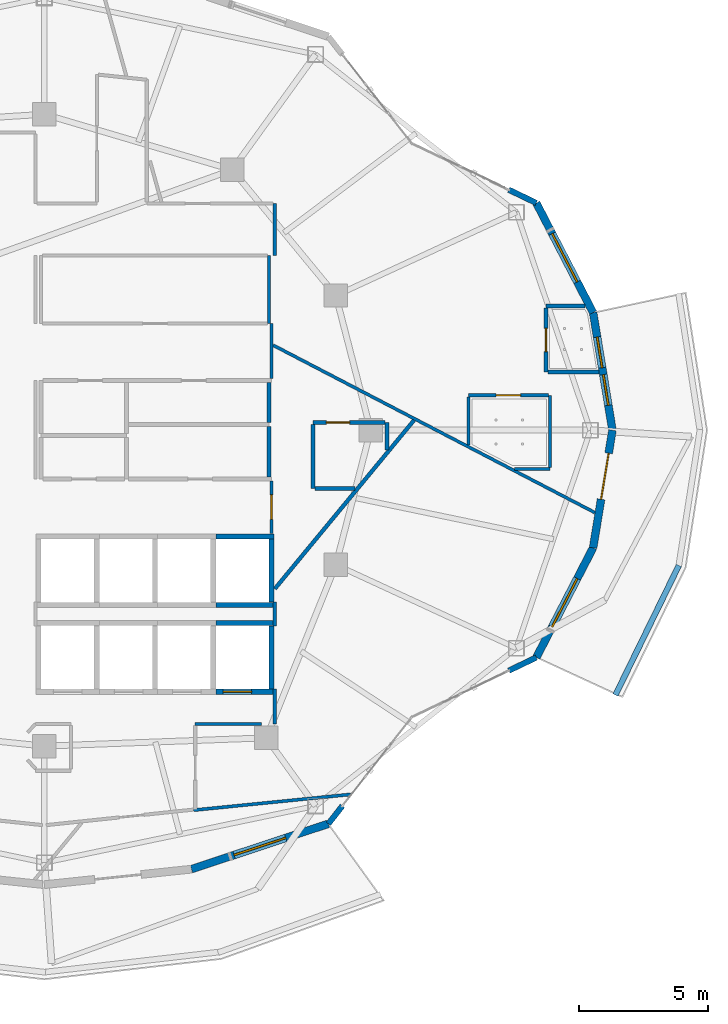
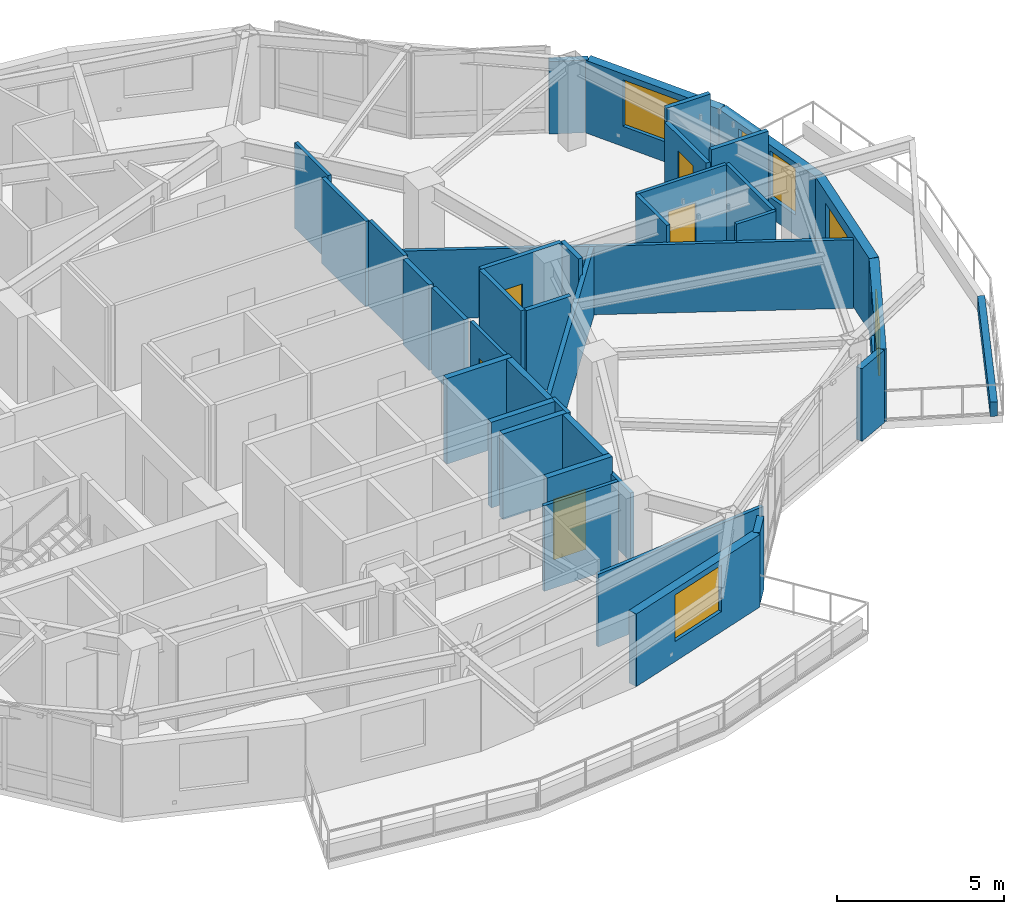
# One storey, part 11 of 19: 38 walls, 6 doors, 5 windows, 11 openings.
"""IFC4 building model written with IfcOpenShell, lengths in metres."""

from ifc_helpers import new_model, si_unit, direction, frame, frame_2d, origin, place, context, subcontext, project, spatial, rectangle, extrude, material, layer, layer_set, type_object, element, fill, save


model = new_model("IFC4")

# Units and contexts
model_context = context("Model", 3, precision=1e-05, world=origin(), true_north=direction((0.0, 1.0)))
body_context = subcontext(model_context, "Body", "Model", "MODEL_VIEW")
ifc_project = project(units=[si_unit("LENGTHUNIT", "METRE"), si_unit("AREAUNIT", "SQUARE_METRE"), si_unit("VOLUMEUNIT", "CUBIC_METRE"), si_unit("PLANEANGLEUNIT", "RADIAN"), si_unit("MASSUNIT", "GRAM", prefix="KILO")], contexts=[model_context])

# Site, building, storey
site_placement = place(None, origin())
site = spatial("IfcSite", under=ifc_project, at=site_placement, CompositionType="ELEMENT")
building_placement = place(site_placement, origin())
building = spatial("IfcBuilding", under=site, at=building_placement, Name="Kolvaren Gate Tower and Convention Centre", CompositionType="ELEMENT")
storey_placement = place(building_placement, frame((0.0, 0.0, 169.89990234375)))
storey = spatial("IfcBuildingStorey", under=building, at=storey_placement, Name="L44", CompositionType="ELEMENT", Elevation=169.89990234375)

# Walls
ifc_material_1 = material(Name="Fire-Rated Acoustic Gypsum Stud Partition", Category="gypsum")
ifc_layer_1 = layer(ifc_material_1, 0.1201171875)
ifc_layer_set_1 = layer_set([ifc_layer_1], Name="Fire-Rated Acoustic Gypsum Stud Partition")
wall_type_1 = type_object("IfcWallType", Name="ARCH-WL-PART-120", PredefinedType="PARTITIONING", material=ifc_layer_set_1)
wall_1_placement = place(storey_placement, frame((38.800048828125, 31.1201171875, 0.0), z_axis=(0.0, 0.0, 1.0), x_axis=(0.0, 1.0, 0.0)))
element("IfcWall", 1, at=wall_1_placement, inside=storey, type_object=wall_type_1, Name="Interior Partition WL-L44-INT-024", PredefinedType="PARTITIONING", context=body_context, shape_type="SweptSolid", body=[
    extrude(rectangle(XDim=2.6298828125, YDim=0.1201171875, at=frame_2d((1.31494140625, 0.0))), origin(), (0.0, 0.0, 1.0), 3.130126953125),
])
wall_2_placement = place(storey_placement, frame((39.02001953125, 15.64990234375, 0.0), z_axis=(0.0, 0.0, 1.0), x_axis=(0.0, 1.0, 0.0)))
element("IfcWall", 2, at=wall_2_placement, inside=storey, type_object=wall_type_1, Name="Interior Partition WL-L44-INT-027", PredefinedType="PARTITIONING", context=body_context, shape_type="SweptSolid", body=[
    extrude(rectangle(XDim=1.360107421875, YDim=0.1201171875, at=frame_2d((0.68017578125, 0.0))), origin(), (0.0, 0.0, 1.0), 2.505126953125),
])
wall_3_placement = place(storey_placement, frame((39.02001953125, 19.43994140625, 0.0), z_axis=(0.0, 0.0, 1.0), x_axis=(0.0, 1.0, 0.0)))
element("IfcWall", 3, at=wall_3_placement, inside=storey, type_object=wall_type_1, Name="Interior Partition WL-L44-INT-027 (2)", PredefinedType="PARTITIONING", context=body_context, shape_type="SweptSolid", body=[
    extrude(rectangle(XDim=0.920166015625, YDim=0.1201171875, at=frame_2d((0.4599609375, 0.0))), origin(), (0.0, 0.0, 1.0), 3.130126953125),
])
wall_4_placement = place(storey_placement, frame((39.02001953125, 33.75, 0.0), z_axis=(0.0, 0.0, 1.0), x_axis=(0.0, 1.0, 0.0)))
element("IfcWall", 4, at=wall_4_placement, inside=storey, type_object=wall_type_1, Name="Interior Partition WL-L44-INT-028", PredefinedType="PARTITIONING", context=body_context, shape_type="SweptSolid", body=[
    extrude(rectangle(XDim=2.0, YDim=0.1201171875, at=frame_2d((1.0, 0.0))), origin(), (0.0, 0.0, 1.0), 3.130126953125),
])
wall_5_placement = place(storey_placement, frame((35.949951171875, 15.64990234375, 0.0), z_axis=(0.0, 0.0, 1.0), x_axis=(1.0, 0.0, 0.0)))
element("IfcWall", 5, at=wall_5_placement, inside=storey, type_object=wall_type_1, Name="Interior Partition WL-L44-INT-030", PredefinedType="PARTITIONING", context=body_context, shape_type="SweptSolid", body=[
    extrude(rectangle(XDim=2.568115234375, YDim=0.1201171875, at=frame_2d((1.2841796875, 0.0))), origin(), (0.0, 0.0, 1.0), 3.130126953125),
])

# Wall, opening, door
wall_6_placement = place(storey_placement, frame((38.89990234375, 23.02001953125, 0.0), z_axis=(0.0, 0.0, 1.0), x_axis=(0.0, 1.0, 0.0)))
wall_6 = element("IfcWall", 6, at=wall_6_placement, inside=storey, type_object=wall_type_1, Name="Interior Partition WL-L44-INT-048", PredefinedType="PARTITIONING", context=body_context, shape_type="SweptSolid", body=[
    extrude(rectangle(XDim=2.02294921875, YDim=0.1201171875, at=frame_2d((1.011474609375, 0.0))), origin(), (0.0, 0.0, 1.0), 3.130126953125),
])
opening_1_placement = place(wall_6_placement, frame((0.53662109375, 0.0, 0.0)))
opening_1 = element("IfcOpeningElement", 7, at=opening_1_placement, cuts=wall_6, Name="Opening DR-01", PredefinedType="OPENING", context=body_context, shape_type="SweptSolid", body=[
    extrude(rectangle(XDim=0.949951171875, YDim=2.10009765625, at=frame_2d((0.47509765625, 1.050048828125))), frame((0.0, 0.070068359375, 0.0), z_axis=(0.0, -1.0, 0.0), x_axis=(1.0, 0.0, 0.0)), (0.0, 0.0, 1.0), 0.14013671875),
])
ifc_material_2 = material(Name="Painted Architectural Steelwork ASTM A500 Grade C 345 MPa", Category="steel")
door_type_1 = type_object("IfcDoorType", Name="ARCH-DR-RISER-950", OperationType="SINGLE_SWING_RIGHT", PredefinedType="DOOR", material=ifc_material_2)
door_1_placement = place(opening_1_placement, origin())
door_1 = element("IfcDoor", 8, at=door_1_placement, inside=storey, type_object=door_type_1, Name="Deluxe Hotel Suite (HTL-L44-04) Door", OperationType="SINGLE_SWING_RIGHT", OverallHeight=2.10009765625, OverallWidth=0.949951171875, PredefinedType="DOOR", context=body_context, shape_type="SweptSolid", body=[
    extrude(rectangle(XDim=0.949951171875, YDim=2.10009765625, at=frame_2d((0.47509765625, 1.050048828125))), frame((0.0, 0.02490234375, 0.0), z_axis=(0.0, -1.0, 0.0), x_axis=(1.0, 0.0, 0.0)), (0.0, 0.0, 1.0), 0.050048828125),
])
fill(opening_1, door_1)

# Walls
wall_7_placement = place(storey_placement, frame((38.89990234375, 28.9970703125, 0.0), z_axis=(0.0, 0.0, 1.0), x_axis=(0.0, 1.0, 0.0)))
element("IfcWall", 9, at=wall_7_placement, inside=storey, type_object=wall_type_1, Name="Interior Partition WL-L44-INT-049", PredefinedType="PARTITIONING", context=body_context, shape_type="SweptSolid", body=[
    extrude(rectangle(XDim=2.123046875, YDim=0.1201171875, at=frame_2d((1.0615234375, 0.0))), origin(), (0.0, 0.0, 1.0), 3.130126953125),
])
wall_8_placement = place(storey_placement, frame((38.9619140625, 30.28076171875, 0.0), z_axis=(0.0, 0.0, 1.0), x_axis=(0.887114590422, -0.461549242725, 0.0)))
element("IfcWall", 10, at=wall_8_placement, inside=storey, type_object=wall_type_1, Name="Interior Partition WL-L44-INT-055", PredefinedType="PARTITIONING", context=body_context, shape_type="SweptSolid", body=[
    extrude(rectangle(XDim=14.003662109375, YDim=0.1201171875, at=frame_2d((7.001953125, 0.0))), origin(), (0.0, 0.0, 1.0), 2.505126953125),
])
wall_9_placement = place(storey_placement, frame((35.890380859375, 12.327880859375, 0.0), z_axis=(0.0, 0.0, 1.0), x_axis=(0.995010176036, 0.099773491395, 0.0)))
element("IfcWall", 11, at=wall_9_placement, inside=storey, type_object=wall_type_1, Name="Interior Partition WL-L44-INT-058", PredefinedType="PARTITIONING", context=body_context, shape_type="SweptSolid", body=[
    extrude(rectangle(XDim=6.093017578125, YDim=0.1201171875, at=frame_2d((3.04638671875, 0.0))), origin(), (0.0, 0.0, 1.0), 2.653076171875),
])
wall_10_placement = place(storey_placement, frame((48.28515625, 25.5, 0.0), z_axis=(0.0, 0.0, 1.0), x_axis=(1.0, 0.0, 0.0)))
element("IfcWall", 12, at=wall_10_placement, inside=storey, type_object=wall_type_1, Name="Interior Partition WL-L44-INT-066", PredefinedType="PARTITIONING", context=body_context, shape_type="SweptSolid", body=[
    extrude(rectangle(XDim=1.36474609375, YDim=0.1201171875, at=frame_2d((0.682373046875, 0.0))), origin(), (0.0, 0.0, 1.0), 3.130126953125),
])
wall_11_placement = place(storey_placement, frame((49.64990234375, 25.56201171875, 0.0), z_axis=(0.0, 0.0, 1.0), x_axis=(0.0, 1.0, 0.0)))
element("IfcWall", 13, at=wall_11_placement, inside=storey, type_object=wall_type_1, Name="Interior Partition WL-L44-INT-067", PredefinedType="PARTITIONING", context=body_context, shape_type="SweptSolid", body=[
    extrude(rectangle(XDim=2.7880859375, YDim=0.1201171875, at=frame_2d((1.39404296875, 0.0))), origin(), (0.0, 0.0, 1.0), 3.130126953125),
])

# Wall, opening, door
wall_12_placement = place(storey_placement, frame((46.5, 28.35009765625, 0.0), z_axis=(0.0, 0.0, 1.0), x_axis=(1.0, 0.0, 0.0)))
wall_12 = element("IfcWall", 14, at=wall_12_placement, inside=storey, type_object=wall_type_1, Name="Interior Partition WL-L44-INT-068", PredefinedType="PARTITIONING", context=body_context, shape_type="SweptSolid", body=[
    extrude(rectangle(XDim=3.087890625, YDim=0.1201171875, at=frame_2d((1.5439453125, 0.0))), origin(), (0.0, 0.0, 1.0), 3.130126953125),
])
opening_2_placement = place(wall_12_placement, frame((1.069091796875, 0.0, 0.0)))
opening_2 = element("IfcOpeningElement", 15, at=opening_2_placement, cuts=wall_12, Name="Opening DI-01", PredefinedType="OPENING", context=body_context, shape_type="SweptSolid", body=[
    extrude(rectangle(XDim=0.949951171875, YDim=2.10009765625, at=frame_2d((0.47509765625, 1.050048828125))), frame((0.0, 0.070068359375, 0.0), z_axis=(0.0, -1.0, 0.0), x_axis=(1.0, 0.0, 0.0)), (0.0, 0.0, 1.0), 0.14013671875),
])
ifc_material_3 = material(Name="FSC Andean Oak Engineered Veneer Door Leaf", Category="wood")
door_type_2 = type_object("IfcDoorType", Name="ARCH-DR-INT-950", OperationType="SINGLE_SWING_LEFT", PredefinedType="DOOR", material=ifc_material_3)
door_2_placement = place(opening_2_placement, origin())
door_2 = element("IfcDoor", 16, at=door_2_placement, inside=storey, type_object=door_type_2, Name="Suite Principal Bedroom (HTL-L44-05) Door", OperationType="SINGLE_SWING_RIGHT", OverallHeight=2.10009765625, OverallWidth=0.949951171875, PredefinedType="DOOR", context=body_context, shape_type="SweptSolid", body=[
    extrude(rectangle(XDim=0.949951171875, YDim=2.10009765625, at=frame_2d((0.47509765625, 1.050048828125))), frame((0.0, 0.02490234375, 0.0), z_axis=(0.0, -1.0, 0.0), x_axis=(1.0, 0.0, 0.0)), (0.0, 0.0, 1.0), 0.050048828125),
])
fill(opening_2, door_2)

# Walls
wall_13_placement = place(storey_placement, frame((46.5, 26.4287109375, 0.0), z_axis=(0.0, 0.0, 1.0), x_axis=(0.0, 1.0, 0.0)))
element("IfcWall", 17, at=wall_13_placement, inside=storey, type_object=wall_type_1, Name="Interior Partition WL-L44-INT-069", PredefinedType="PARTITIONING", context=body_context, shape_type="SweptSolid", body=[
    extrude(rectangle(XDim=1.859375, YDim=0.1201171875, at=frame_2d((0.9296875, 0.0))), origin(), (0.0, 0.0, 1.0), 3.130126953125),
])
ifc_material_4 = material(Name="Bogota Sabana Bush-Hammered Sandstone Cladding", Category="masonry")
ifc_layer_2 = layer(ifc_material_4, 0.219970703125)
ifc_layer_set_2 = layer_set([ifc_layer_2], Name="Bogota Sabana Bush-Hammered Sandstone Cladding")
wall_type_2 = type_object("IfcWallType", Name="ARCH-WL-PIER-220", PredefinedType="SOLIDWALL", material=ifc_layer_set_2)
wall_14_placement = place(storey_placement, frame((48.05859375, 36.28662109375, 0.0), z_axis=(0.0, 0.0, 1.0), x_axis=(0.901303636532, -0.433187897769, 0.0)))
element("IfcWall", 18, at=wall_14_placement, inside=storey, type_object=wall_type_2, Name="Tower L44 Unitised Curtain Wall CW-HTL-UNIT Bay 02 Right Column Pier Wrap", PredefinedType="SOLIDWALL", context=body_context, shape_type="SweptSolid", body=[
    extrude(rectangle(XDim=1.181396484375, YDim=0.219970703125, at=frame_2d((0.5908203125, 0.0))), origin(), (0.0, 0.0, 1.0), 2.653076171875),
])
wall_15_placement = place(storey_placement, frame((41.09375, 11.80126953125, 0.0), z_axis=(0.0, 0.0, 1.0), x_axis=(0.616368366719, 0.787457958566, 0.0)))
element("IfcWall", 19, at=wall_15_placement, inside=storey, type_object=wall_type_2, Name="Tower L44 Unitised Curtain Wall CW-HTL-UNIT Bay 20 Left Column Pier Wrap", PredefinedType="SOLIDWALL", context=body_context, shape_type="SweptSolid", body=[
    extrude(rectangle(XDim=0.876220703125, YDim=0.219970703125, at=frame_2d((0.43798828125, 0.0))), origin(), (0.0, 0.0, 1.0), 2.653076171875),
])
wall_16_placement = place(storey_placement, frame((48.05859375, 17.71337890625, 0.0), z_axis=(0.0, 0.0, 1.0), x_axis=(0.901303636532, 0.433187897769, 0.0)))
element("IfcWall", 20, at=wall_16_placement, inside=storey, type_object=wall_type_2, Name="Tower L44 Unitised Curtain Wall CW-HTL-UNIT Bay 21 Right Column Pier Wrap", PredefinedType="SOLIDWALL", context=body_context, shape_type="SweptSolid", body=[
    extrude(rectangle(XDim=1.181396484375, YDim=0.219970703125, at=frame_2d((0.5908203125, 0.0))), origin(), (0.0, 0.0, 1.0), 2.653076171875),
])
ifc_material_5 = material(Name="Piedmont Cream Honed Limestone Cladding", Category="masonry")
ifc_layer_3 = layer(ifc_material_5, 0.219970703125)
ifc_layer_set_3 = layer_set([ifc_layer_3], Name="Piedmont Cream Honed Limestone Cladding")
wall_type_3 = type_object("IfcWallType", Name="ARCH-WL-PLANTER-220", PredefinedType="PARAPET", material=ifc_layer_set_3)
wall_17_placement = place(storey_placement, frame((52.180419921875, 16.778564453125, 0.0), z_axis=(0.0, 0.0, 1.0), x_axis=(0.439637174641, 0.898175458735, 0.0)))
element("IfcWall", 21, at=wall_17_placement, inside=storey, type_object=wall_type_3, Name="Vertical-Forest Balcony Stone Planter Kerb PK-L44-4.1", PredefinedType="PARAPET", context=body_context, shape_type="SweptSolid", body=[
    extrude(rectangle(XDim=5.567138671875, YDim=0.219970703125, at=frame_2d((2.78369140625, 0.0))), origin(), (0.0, 0.0, 1.0), 0.52001953125),
])
ifc_material_6 = material(Name="Autoclaved Aerated Masonry Blockwork Class 4 (4.0 MPa)", Category="masonry")
ifc_layer_4 = layer(ifc_material_6, 0.199951171875)
ifc_layer_set_4 = layer_set([ifc_layer_4], Name="Autoclaved Aerated Masonry Blockwork Class 4 (4.0 MPa)")
wall_type_4 = type_object("IfcWallType", Name="ARCH-WL-SHAFT-200", PredefinedType="SOLIDWALL", material=ifc_layer_set_4)
wall_18_placement = place(storey_placement, frame((36.75, 19.550048828125, 0.0), z_axis=(0.0, 0.0, 1.0), x_axis=(1.0, 0.0, 0.0)))
element("IfcWall", 22, at=wall_18_placement, inside=storey, type_object=wall_type_4, Name="Elevator PL-08 L44 Fire Shaft Wall N", PredefinedType="SOLIDWALL", context=body_context, shape_type="SweptSolid", body=[
    extrude(rectangle(XDim=2.25, YDim=0.199951171875, at=frame_2d((1.125, 0.0))), origin(), (0.0, 0.0, 1.0), 3.130126953125),
])

# Wall, opening, door
wall_19_placement = place(storey_placement, frame((36.75, 16.89990234375, 0.0), z_axis=(0.0, 0.0, 1.0), x_axis=(1.0, 0.0, 0.0)))
wall_19 = element("IfcWall", 23, at=wall_19_placement, inside=storey, type_object=wall_type_4, Name="Elevator PL-08 L44 Fire Shaft Wall S", PredefinedType="SOLIDWALL", context=body_context, shape_type="SweptSolid", body=[
    extrude(rectangle(XDim=2.25, YDim=0.199951171875, at=frame_2d((1.125, 0.0))), origin(), (0.0, 0.0, 1.0), 3.130126953125),
])
opening_3_placement = place(wall_19_placement, frame((0.280029296875, 0.0, 0.0)))
opening_3 = element("IfcOpeningElement", 24, at=opening_3_placement, cuts=wall_19, Name="Opening LD", PredefinedType="OPENING", context=body_context, shape_type="SweptSolid", body=[
    extrude(rectangle(XDim=1.10009765625, YDim=2.199951171875, at=frame_2d((0.550048828125, 1.10009765625))), frame((0.0, 0.10986328125, 0.0), z_axis=(0.0, -1.0, 0.0), x_axis=(1.0, 0.0, 0.0)), (0.0, 0.0, 1.0), 0.219970703125),
])
ifc_material_7 = material(Name="Brushed Stainless Steel Grade 316L", Category="steel")
door_type_3 = type_object("IfcDoorType", Name="ARCH-DR-LIFT-1100", OperationType="SLIDING_TO_LEFT", PredefinedType="DOOR", material=ifc_material_7)
door_3_placement = place(opening_3_placement, origin())
door_3 = element("IfcDoor", 25, at=door_3_placement, inside=storey, type_object=door_type_3, Name="Elevator PL-08 L44 Sliding Landing Door", OperationType="SLIDING_TO_LEFT", OverallHeight=2.199951171875, OverallWidth=1.10009765625, PredefinedType="DOOR", context=body_context, shape_type="SweptSolid", body=[
    extrude(rectangle(XDim=1.10009765625, YDim=2.199951171875, at=frame_2d((0.550048828125, 1.10009765625))), frame((0.0, 0.02490234375, 0.0), z_axis=(0.0, -1.0, 0.0), x_axis=(1.0, 0.0, 0.0)), (0.0, 0.0, 1.0), 0.050048828125),
])
fill(opening_3, door_3)

# Walls
wall_20_placement = place(storey_placement, frame((38.89990234375, 17.010009765625, 0.0), z_axis=(0.0, 0.0, 1.0), x_axis=(0.0, 1.0, 0.0)))
element("IfcWall", 26, at=wall_20_placement, inside=storey, type_object=wall_type_4, Name="Elevator PL-08 L44 Fire Shaft Wall E", PredefinedType="SOLIDWALL", context=body_context, shape_type="SweptSolid", body=[
    extrude(rectangle(XDim=2.429931640625, YDim=0.199951171875, at=frame_2d((1.21484375, 0.0))), origin(), (0.0, 0.0, 1.0), 3.130126953125),
])
for number, where, z_axis, x_axis, name in (
    (27, (36.75, 22.89990234375, 0.0), (0.0, 0.0, 1.0), (1.0, 0.0, 0.0), "Elevator PL-12 L44 Fire Shaft Wall N"),
    (28, (36.75, 20.25, 0.0), (0.0, 0.0, 1.0), (1.0, 0.0, 0.0), "Elevator PL-12 L44 Fire Shaft Wall S"),
):
    element("IfcWall", number, at=place(storey_placement, frame(where, z_axis=z_axis, x_axis=x_axis)), inside=storey, type_object=wall_type_4, Name=name, PredefinedType="SOLIDWALL", context=body_context, shape_type="SweptSolid", body=[
        extrude(rectangle(XDim=2.25, YDim=0.199951171875, at=frame_2d((1.125, 0.0))), origin(), (0.0, 0.0, 1.0), 3.130126953125),
    ])
wall_21_placement = place(storey_placement, frame((38.89990234375, 20.360107421875, 0.0), z_axis=(0.0, 0.0, 1.0), x_axis=(0.0, 1.0, 0.0)))
element("IfcWall", 29, at=wall_21_placement, inside=storey, type_object=wall_type_4, Name="Elevator PL-12 L44 Fire Shaft Wall E", PredefinedType="SOLIDWALL", context=body_context, shape_type="SweptSolid", body=[
    extrude(rectangle(XDim=2.429931640625, YDim=0.199951171875, at=frame_2d((1.21484375, 0.0))), origin(), (0.0, 0.0, 1.0), 3.130126953125),
])

# Wall, openings, windows
ifc_layer_5 = layer(ifc_material_5, 0.300048828125)
ifc_layer_set_5 = layer_set([ifc_layer_5], Name="Piedmont Cream Honed Limestone Cladding")
wall_type_5 = type_object("IfcWallType", Name="ARCH-WL-STONE-300", PredefinedType="SOLIDWALL", material=ifc_layer_set_5)
wall_22_placement = place(storey_placement, frame((51.31494140625, 31.542236328125, 0.0), z_axis=(0.0, 0.0, 1.0), x_axis=(0.162394765401, -0.986725868806, 0.0)))
wall_22 = element("IfcWall", 30, at=wall_22_placement, inside=storey, type_object=wall_type_5, Name="Tower L44 Honed Stone Spandrel Wall EW-00", PredefinedType="SOLIDWALL", context=body_context, shape_type="SweptSolid", body=[
    extrude(rectangle(XDim=4.603271484375, YDim=0.300048828125, at=frame_2d((2.3017578125, 0.0))), origin(), (0.0, 0.0, 1.0), 2.653076171875),
])
opening_4_placement = place(wall_22_placement, frame((0.957763671875, 0.0, 0.739990234375)))
opening_4 = element("IfcOpeningElement", 31, at=opening_4_placement, cuts=wall_22, Name="Opening W-04", PredefinedType="OPENING", context=body_context, shape_type="SweptSolid", body=[
    extrude(rectangle(XDim=1.199951171875, YDim=1.699951171875, at=frame_2d((0.60009765625, 0.85009765625))), frame((0.0, 0.159912109375, 0.0), z_axis=(0.0, -1.0, 0.0), x_axis=(1.0, 0.0, 0.0)), (0.0, 0.0, 1.0), 0.320068359375),
])
opening_5_placement = place(wall_22_placement, frame((2.427978515625, 0.0, 0.739990234375)))
opening_5 = element("IfcOpeningElement", 32, at=opening_5_placement, cuts=wall_22, Name="Opening W-04", PredefinedType="OPENING", context=body_context, shape_type="SweptSolid", body=[
    extrude(rectangle(XDim=1.199951171875, YDim=1.699951171875, at=frame_2d((0.60009765625, 0.85009765625))), frame((0.0, 0.159912109375, 0.0), z_axis=(0.0, -1.0, 0.0), x_axis=(1.0, 0.0, 0.0)), (0.0, 0.0, 1.0), 0.320068359375),
])
ifc_material_8 = material(Name="Low-E Triple Insulated Glazing Unit 44 mm", Category="glass")
window_type_1 = type_object("IfcWindowType", Name="ARCH-WN-NARROW-1200", PartitioningType="SINGLE_PANEL", PredefinedType="WINDOW", material=ifc_material_8)
window_1_placement = place(opening_4_placement, origin())
window_1 = element("IfcWindow", 33, at=window_1_placement, inside=storey, type_object=window_type_1, Name="Tower L44 Punched Stone Facade Window W-00", OverallHeight=1.699951171875, OverallWidth=1.199951171875, PartitioningType="SINGLE_PANEL", PredefinedType="WINDOW", context=body_context, shape_type="SweptSolid", body=[
    extrude(rectangle(XDim=1.199951171875, YDim=1.699951171875, at=frame_2d((0.60009765625, 0.85009765625))), frame((0.0, 0.030029296875, 0.0), z_axis=(0.0, -1.0, 0.0), x_axis=(1.0, 0.0, 0.0)), (0.0, 0.0, 1.0), 0.06005859375),
])
fill(opening_4, window_1)
window_2_placement = place(opening_5_placement, origin())
window_2 = element("IfcWindow", 34, at=window_2_placement, inside=storey, type_object=window_type_1, Name="Tower L44 Punched Stone Facade Window W-00B", OverallHeight=1.699951171875, OverallWidth=1.199951171875, PartitioningType="SINGLE_PANEL", PredefinedType="WINDOW", context=body_context, shape_type="SweptSolid", body=[
    extrude(rectangle(XDim=1.199951171875, YDim=1.699951171875, at=frame_2d((0.60009765625, 0.85009765625))), frame((0.0, 0.030029296875, 0.0), z_axis=(0.0, -1.0, 0.0), x_axis=(1.0, 0.0, 0.0)), (0.0, 0.0, 1.0), 0.06005859375),
])
fill(opening_5, window_2)

# Wall, opening, window
wall_23_placement = place(storey_placement, frame((49.123291015625, 35.77490234375, 0.0), z_axis=(0.0, 0.0, 1.0), x_axis=(0.459810251451, -0.888017191647, 0.0)))
wall_23 = element("IfcWall", 35, at=wall_23_placement, inside=storey, type_object=wall_type_5, Name="Tower L44 Honed Stone Spandrel Wall EW-01", PredefinedType="SOLIDWALL", context=body_context, shape_type="SweptSolid", body=[
    extrude(rectangle(XDim=4.766357421875, YDim=0.300048828125, at=frame_2d((2.38330078125, 0.0))), origin(), (0.0, 0.0, 1.0), 2.653076171875),
])
opening_6_placement = place(wall_23_placement, frame((1.3330078125, 0.0, 0.739990234375)))
opening_6 = element("IfcOpeningElement", 36, at=opening_6_placement, cuts=wall_23, Name="Opening W-02", PredefinedType="OPENING", context=body_context, shape_type="SweptSolid", body=[
    extrude(rectangle(XDim=2.10009765625, YDim=1.699951171875, at=frame_2d((1.050048828125, 0.85009765625))), frame((0.0, 0.159912109375, 0.0), z_axis=(0.0, -1.0, 0.0), x_axis=(1.0, 0.0, 0.0)), (0.0, 0.0, 1.0), 0.320068359375),
])
window_type_2 = type_object("IfcWindowType", Name="ARCH-WN-HTL-2100", PartitioningType="SINGLE_PANEL", PredefinedType="WINDOW", material=ifc_material_8)
window_3_placement = place(opening_6_placement, origin())
window_3 = element("IfcWindow", 37, at=window_3_placement, inside=storey, type_object=window_type_2, Name="Tower L44 Punched Stone Facade Window W-01", OverallHeight=1.699951171875, OverallWidth=2.10009765625, PartitioningType="SINGLE_PANEL", PredefinedType="WINDOW", context=body_context, shape_type="SweptSolid", body=[
    extrude(rectangle(XDim=2.10009765625, YDim=1.699951171875, at=frame_2d((1.050048828125, 0.85009765625))), frame((0.0, 0.030029296875, 0.0), z_axis=(0.0, -1.0, 0.0), x_axis=(1.0, 0.0, 0.0)), (0.0, 0.0, 1.0), 0.06005859375),
])
fill(opening_6, window_3)

wall_24_placement = place(storey_placement, frame((35.802734375, 10.048095703125, 0.0), z_axis=(0.0, 0.0, 1.0), x_axis=(0.949246811547, 0.314532177636, 0.0)))
wall_24 = element("IfcWall", 38, at=wall_24_placement, inside=storey, type_object=wall_type_5, Name="Tower L44 Honed Stone Spandrel Wall EW-19", PredefinedType="SOLIDWALL", context=body_context, shape_type="SweptSolid", body=[
    extrude(rectangle(XDim=5.573974609375, YDim=0.300048828125, at=frame_2d((2.787109375, 0.0))), origin(), (0.0, 0.0, 1.0), 2.653076171875),
])
opening_7_placement = place(wall_24_placement, frame((1.737060546875, 0.0, 0.739990234375)))
opening_7 = element("IfcOpeningElement", 39, at=opening_7_placement, cuts=wall_24, Name="Opening W-02", PredefinedType="OPENING", context=body_context, shape_type="SweptSolid", body=[
    extrude(rectangle(XDim=2.10009765625, YDim=1.699951171875, at=frame_2d((1.050048828125, 0.85009765625))), frame((0.0, 0.159912109375, 0.0), z_axis=(0.0, -1.0, 0.0), x_axis=(1.0, 0.0, 0.0)), (0.0, 0.0, 1.0), 0.320068359375),
])
window_4_placement = place(opening_7_placement, origin())
window_4 = element("IfcWindow", 40, at=window_4_placement, inside=storey, type_object=window_type_2, Name="Tower L44 Punched Stone Facade Window W-19", OverallHeight=1.699951171875, OverallWidth=2.10009765625, PartitioningType="SINGLE_PANEL", PredefinedType="WINDOW", context=body_context, shape_type="SweptSolid", body=[
    extrude(rectangle(XDim=2.10009765625, YDim=1.699951171875, at=frame_2d((1.050048828125, 0.85009765625))), frame((0.0, 0.030029296875, 0.0), z_axis=(0.0, -1.0, 0.0), x_axis=(1.0, 0.0, 0.0)), (0.0, 0.0, 1.0), 0.06005859375),
])
fill(opening_7, window_4)

wall_25_placement = place(storey_placement, frame((49.123291015625, 18.22509765625, 0.0), z_axis=(0.0, 0.0, 1.0), x_axis=(0.459810251451, 0.888017191647, 0.0)))
wall_25 = element("IfcWall", 41, at=wall_25_placement, inside=storey, type_object=wall_type_5, Name="Tower L44 Honed Stone Spandrel Wall EW-22", PredefinedType="SOLIDWALL", context=body_context, shape_type="SweptSolid", body=[
    extrude(rectangle(XDim=4.766357421875, YDim=0.300048828125, at=frame_2d((2.38330078125, 0.0))), origin(), (0.0, 0.0, 1.0), 2.653076171875),
])
opening_8_placement = place(wall_25_placement, frame((1.3330078125, 0.0, 0.739990234375)))
opening_8 = element("IfcOpeningElement", 42, at=opening_8_placement, cuts=wall_25, Name="Opening W-02", PredefinedType="OPENING", context=body_context, shape_type="SweptSolid", body=[
    extrude(rectangle(XDim=2.10009765625, YDim=1.699951171875, at=frame_2d((1.050048828125, 0.85009765625))), frame((0.0, 0.159912109375, 0.0), z_axis=(0.0, -1.0, 0.0), x_axis=(1.0, 0.0, 0.0)), (0.0, 0.0, 1.0), 0.320068359375),
])
window_5_placement = place(opening_8_placement, origin())
window_5 = element("IfcWindow", 43, at=window_5_placement, inside=storey, type_object=window_type_2, Name="Tower L44 Punched Stone Facade Window W-22", OverallHeight=1.699951171875, OverallWidth=2.10009765625, PartitioningType="SINGLE_PANEL", PredefinedType="WINDOW", context=body_context, shape_type="SweptSolid", body=[
    extrude(rectangle(XDim=2.10009765625, YDim=1.699951171875, at=frame_2d((1.050048828125, 0.85009765625))), frame((0.0, 0.030029296875, 0.0), z_axis=(0.0, -1.0, 0.0), x_axis=(1.0, 0.0, 0.0)), (0.0, 0.0, 1.0), 0.06005859375),
])
fill(opening_8, window_5)

# Wall, opening, door
wall_26_placement = place(storey_placement, frame((51.31494140625, 22.457763671875, 0.0), z_axis=(0.0, 0.0, 1.0), x_axis=(0.162394765401, 0.986725868806, 0.0)))
wall_26 = element("IfcWall", 44, at=wall_26_placement, inside=storey, type_object=wall_type_5, Name="Tower L44 Honed Stone Spandrel Wall EW-23", PredefinedType="SOLIDWALL", context=body_context, shape_type="SweptSolid", body=[
    extrude(rectangle(XDim=4.603271484375, YDim=0.300048828125, at=frame_2d((2.3017578125, 0.0))), origin(), (0.0, 0.0, 1.0), 2.653076171875),
])
opening_9_placement = place(wall_26_placement, frame((1.89990234375, 0.0, 0.0)))
opening_9 = element("IfcOpeningElement", 45, at=opening_9_placement, cuts=wall_26, Name="Opening DB-01", PredefinedType="OPENING", context=body_context, shape_type="SweptSolid", body=[
    extrude(rectangle(XDim=1.800048828125, YDim=2.25, at=frame_2d((0.89990234375, 1.125))), frame((0.0, 0.159912109375, 0.0), z_axis=(0.0, -1.0, 0.0), x_axis=(1.0, 0.0, 0.0)), (0.0, 0.0, 1.0), 0.320068359375),
])
ifc_material_9 = material(Name="Anodized Architectural Aluminium Alloy 6063-T6", Category="aluminium")
door_type_4 = type_object("IfcDoorType", Name="ARCH-DR-BALC-1800", OperationType="SLIDING_TO_LEFT", PredefinedType="DOOR", material=ifc_material_9)
door_4_placement = place(opening_9_placement, frame((1.800048828125, 0.0, 0.0), z_axis=(0.0, 0.0, 1.0), x_axis=(-1.0, 0.0, 0.0)))
door_4 = element("IfcDoor", 46, at=door_4_placement, inside=storey, type_object=door_type_4, Name="Planted Sky Terrace Access Door DB-L44-23", OperationType="SLIDING_TO_LEFT", OverallHeight=2.25, OverallWidth=1.800048828125, PredefinedType="DOOR", context=body_context, shape_type="SweptSolid", body=[
    extrude(rectangle(XDim=1.800048828125, YDim=2.25, at=frame_2d((0.89990234375, 1.125))), frame((0.0, 0.02490234375, 0.0), z_axis=(0.0, -1.0, 0.0), x_axis=(1.0, 0.0, 0.0)), (0.0, 0.0, 1.0), 0.050048828125),
])
fill(opening_9, door_4)

# Walls
ifc_material_10 = material(Name="Moisture-Resistant Cement-Board Acoustic Partition", Category="gypsum")
ifc_layer_6 = layer(ifc_material_10, 0.14990234375)
ifc_layer_set_6 = layer_set([ifc_layer_6], Name="Moisture-Resistant Cement-Board Acoustic Partition")
wall_type_6 = type_object("IfcWallType", Name="ARCH-WL-WET-150", PredefinedType="PARTITIONING", material=ifc_layer_set_6)
wall_27_placement = place(storey_placement, frame((38.800048828125, 25.197021484375, 0.0), z_axis=(0.0, 0.0, 1.0), x_axis=(0.0, 1.0, 0.0)))
element("IfcWall", 47, at=wall_27_placement, inside=storey, type_object=wall_type_6, Name="Interior Partition WL-L44-INT-023", PredefinedType="PARTITIONING", context=body_context, shape_type="SweptSolid", body=[
    extrude(rectangle(XDim=1.946044921875, YDim=0.14990234375, at=frame_2d((0.97314453125, 0.0))), origin(), (0.0, 0.0, 1.0), 3.130126953125),
])
wall_28_placement = place(storey_placement, frame((38.800048828125, 27.297119140625, 0.0), z_axis=(0.0, 0.0, 1.0), x_axis=(0.0, 1.0, 0.0)))
element("IfcWall", 48, at=wall_28_placement, inside=storey, type_object=wall_type_6, Name="Interior Partition WL-L44-INT-023 (2)", PredefinedType="PARTITIONING", context=body_context, shape_type="SweptSolid", body=[
    extrude(rectangle(XDim=1.5458984375, YDim=0.14990234375, at=frame_2d((0.77294921875, 0.0))), origin(), (0.0, 0.0, 1.0), 3.130126953125),
])
wall_29_placement = place(storey_placement, frame((39.0234375, 20.874267578125, 0.0), z_axis=(0.0, 0.0, 1.0), x_axis=(0.636698291185, 0.771113017658, 0.0)))
element("IfcWall", 49, at=wall_29_placement, inside=storey, type_object=wall_type_6, Name="Interior Partition WL-L44-INT-057", PredefinedType="PARTITIONING", context=body_context, shape_type="SweptSolid", body=[
    extrude(rectangle(XDim=8.4404296875, YDim=0.14990234375, at=frame_2d((4.22021484375, 0.0))), origin(), (0.0, 0.0, 1.0), 2.505126953125),
])
wall_30_placement = place(storey_placement, frame((43.35009765625, 26.2353515625, 0.0), z_axis=(0.0, 0.0, 1.0), x_axis=(0.0, 1.0, 0.0)))
element("IfcWall", 50, at=wall_30_placement, inside=storey, type_object=wall_type_6, Name="Interior Partition WL-L44-INT-059", PredefinedType="PARTITIONING", context=body_context, shape_type="SweptSolid", body=[
    extrude(rectangle(XDim=1.064697265625, YDim=0.14990234375, at=frame_2d((0.5322265625, 0.0))), origin(), (0.0, 0.0, 1.0), 3.130126953125),
])

# Wall, opening, door
wall_31_placement = place(storey_placement, frame((40.5, 27.300048828125, 0.0), z_axis=(0.0, 0.0, 1.0), x_axis=(1.0, 0.0, 0.0)))
wall_31 = element("IfcWall", 51, at=wall_31_placement, inside=storey, type_object=wall_type_6, Name="Interior Partition WL-L44-INT-060", PredefinedType="PARTITIONING", context=body_context, shape_type="SweptSolid", body=[
    extrude(rectangle(XDim=2.77294921875, YDim=0.14990234375, at=frame_2d((1.386474609375, 0.0))), origin(), (0.0, 0.0, 1.0), 3.130126953125),
])
opening_10_placement = place(wall_31_placement, frame((0.5166015625, 0.0, 0.0)))
opening_10 = element("IfcOpeningElement", 52, at=opening_10_placement, cuts=wall_31, Name="Opening DW-01", PredefinedType="OPENING", context=body_context, shape_type="SweptSolid", body=[
    extrude(rectangle(XDim=0.89990234375, YDim=2.10009765625, at=frame_2d((0.449951171875, 1.050048828125))), frame((0.0, 0.0849609375, 0.0), z_axis=(0.0, -1.0, 0.0), x_axis=(1.0, 0.0, 0.0)), (0.0, 0.0, 1.0), 0.169921875),
])
door_type_5 = type_object("IfcDoorType", Name="ARCH-DR-WC-900", OperationType="SINGLE_SWING_RIGHT", PredefinedType="DOOR", material=ifc_material_3)
door_5_placement = place(opening_10_placement, origin())
door_5 = element("IfcDoor", 53, at=door_5_placement, inside=storey, type_object=door_type_5, Name="En-suite Bathroom (HTL-L44-04) Door", OperationType="SINGLE_SWING_LEFT", OverallHeight=2.10009765625, OverallWidth=0.89990234375, PredefinedType="DOOR", context=body_context, shape_type="SweptSolid", body=[
    extrude(rectangle(XDim=0.89990234375, YDim=2.10009765625, at=frame_2d((0.449951171875, 1.050048828125))), frame((0.0, 0.02490234375, 0.0), z_axis=(0.0, -1.0, 0.0), x_axis=(1.0, 0.0, 0.0)), (0.0, 0.0, 1.0), 0.050048828125),
])
fill(opening_10, door_5)

# Walls
wall_32_placement = place(storey_placement, frame((40.5, 24.75, 0.0), z_axis=(0.0, 0.0, 1.0), x_axis=(0.0, 1.0, 0.0)))
element("IfcWall", 54, at=wall_32_placement, inside=storey, type_object=wall_type_6, Name="Interior Partition WL-L44-INT-061", PredefinedType="PARTITIONING", context=body_context, shape_type="SweptSolid", body=[
    extrude(rectangle(XDim=2.472900390625, YDim=0.14990234375, at=frame_2d((1.236328125, 0.0))), origin(), (0.0, 0.0, 1.0), 3.130126953125),
])
wall_33_placement = place(storey_placement, frame((40.576904296875, 24.75, 0.0), z_axis=(0.0, 0.0, 1.0), x_axis=(1.0, 0.0, 0.0)))
element("IfcWall", 55, at=wall_33_placement, inside=storey, type_object=wall_type_6, Name="Interior Partition WL-L44-INT-062", PredefinedType="PARTITIONING", context=body_context, shape_type="SweptSolid", body=[
    extrude(rectangle(XDim=1.546875, YDim=0.14990234375, at=frame_2d((0.7734375, 0.0))), origin(), (0.0, 0.0, 1.0), 3.130126953125),
])
wall_34_placement = place(storey_placement, frame((49.5, 31.800048828125, 0.0), z_axis=(0.0, 0.0, 1.0), x_axis=(1.0, 0.0, 0.0)))
element("IfcWall", 56, at=wall_34_placement, inside=storey, type_object=wall_type_6, Name="Interior Partition WL-L44-INT-063", PredefinedType="PARTITIONING", context=body_context, shape_type="SweptSolid", body=[
    extrude(rectangle(XDim=1.510498046875, YDim=0.14990234375, at=frame_2d((0.75537109375, 0.0))), origin(), (0.0, 0.0, 1.0), 3.130126953125),
])

# Wall, opening, door
wall_35_placement = place(storey_placement, frame((49.5, 29.25, 0.0), z_axis=(0.0, 0.0, 1.0), x_axis=(0.0, 1.0, 0.0)))
wall_35 = element("IfcWall", 57, at=wall_35_placement, inside=storey, type_object=wall_type_6, Name="Interior Partition WL-L44-INT-064", PredefinedType="PARTITIONING", context=body_context, shape_type="SweptSolid", body=[
    extrude(rectangle(XDim=2.472900390625, YDim=0.14990234375, at=frame_2d((1.236328125, 0.0))), origin(), (0.0, 0.0, 1.0), 2.653076171875),
])
opening_11_placement = place(wall_35_placement, frame((0.78662109375, 0.0, 0.0)))
opening_11 = element("IfcOpeningElement", 58, at=opening_11_placement, cuts=wall_35, Name="Opening DW-01", PredefinedType="OPENING", context=body_context, shape_type="SweptSolid", body=[
    extrude(rectangle(XDim=0.89990234375, YDim=2.10009765625, at=frame_2d((0.449951171875, 1.050048828125))), frame((0.0, 0.0849609375, 0.0), z_axis=(0.0, -1.0, 0.0), x_axis=(1.0, 0.0, 0.0)), (0.0, 0.0, 1.0), 0.169921875),
])
door_6_placement = place(opening_11_placement, origin())
door_6 = element("IfcDoor", 59, at=door_6_placement, inside=storey, type_object=door_type_5, Name="En-suite Bathroom (HTL-L44-05) Door", OperationType="SINGLE_SWING_LEFT", OverallHeight=2.10009765625, OverallWidth=0.89990234375, PredefinedType="DOOR", context=body_context, shape_type="SweptSolid", body=[
    extrude(rectangle(XDim=0.89990234375, YDim=2.10009765625, at=frame_2d((0.449951171875, 1.050048828125))), frame((0.0, 0.02490234375, 0.0), z_axis=(0.0, -1.0, 0.0), x_axis=(1.0, 0.0, 0.0)), (0.0, 0.0, 1.0), 0.050048828125),
])
fill(opening_11, door_6)

# Wall
wall_36_placement = place(storey_placement, frame((49.576904296875, 29.25, 0.0), z_axis=(0.0, 0.0, 1.0), x_axis=(1.0, 0.0, 0.0)))
element("IfcWall", 60, at=wall_36_placement, inside=storey, type_object=wall_type_6, Name="Interior Partition WL-L44-INT-065", PredefinedType="PARTITIONING", context=body_context, shape_type="SweptSolid", body=[
    extrude(rectangle(XDim=1.961181640625, YDim=0.14990234375, at=frame_2d((0.98046875, 0.0))), origin(), (0.0, 0.0, 1.0), 3.130126953125),
])

save(model, "model.ifc")
